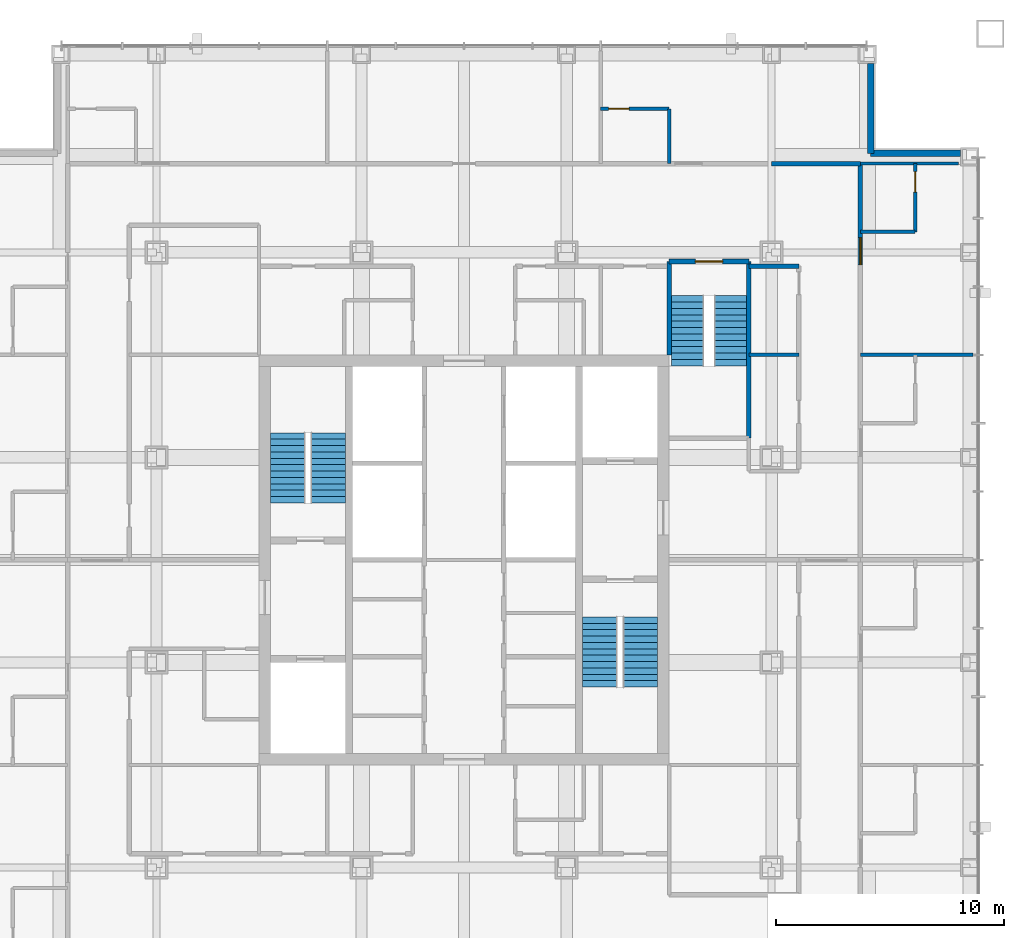
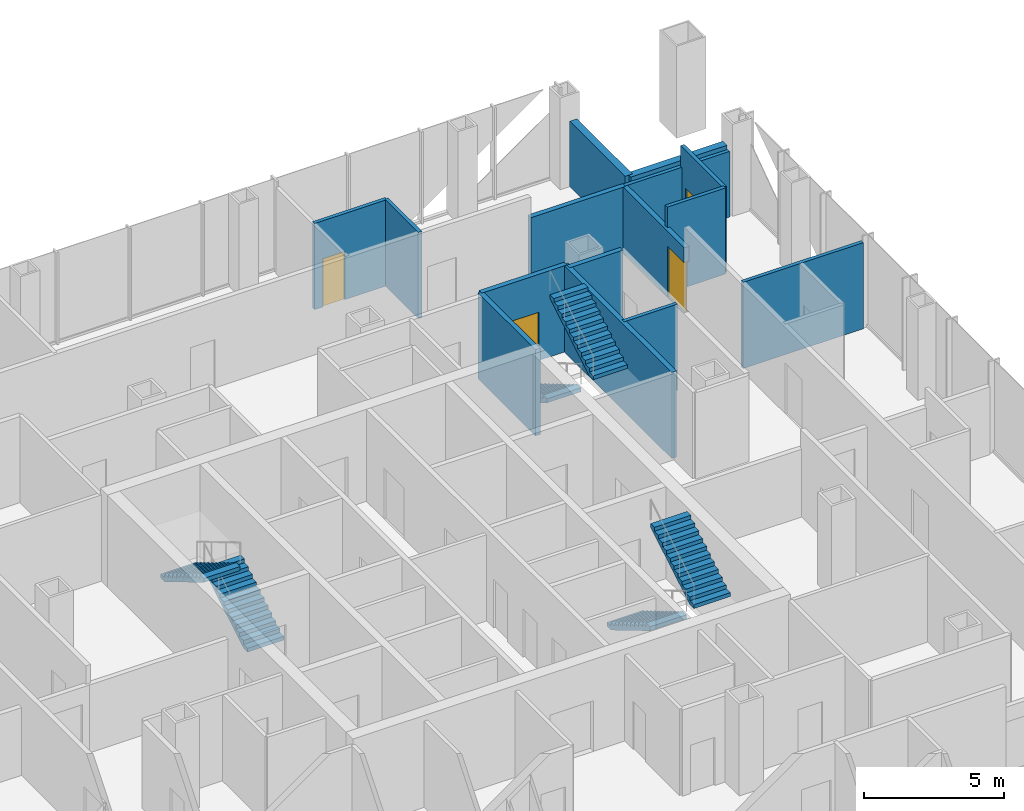
# One storey, part 10 of 11: 15 walls, 6 stair flights, 4 doors, 4 openings, 3 elements without a shape of their own.
"""IFC4 building model written with IfcOpenShell, lengths in metres."""

from ifc_helpers import new_model, si_unit, direction, frame, frame_2d, origin, place, context, subcontext, project, spatial, polyline, rectangle, outline, extrude, material, layer, layer_set, type_object, element, fill, aggregate, save


model = new_model("IFC4")

# Units and contexts
model_context = context("Model", 3, precision=1e-05, world=origin(), true_north=direction((0.0, 1.0)))
body_context = subcontext(model_context, "Body", "Model", "MODEL_VIEW")
ifc_project = project(units=[si_unit("LENGTHUNIT", "METRE"), si_unit("AREAUNIT", "SQUARE_METRE"), si_unit("VOLUMEUNIT", "CUBIC_METRE"), si_unit("PLANEANGLEUNIT", "RADIAN"), si_unit("MASSUNIT", "GRAM", prefix="KILO")], contexts=[model_context])

# Site, building, storey
site_placement = place(None, origin())
site = spatial("IfcSite", under=ifc_project, at=site_placement, CompositionType="ELEMENT")
building_placement = place(site_placement, origin())
building = spatial("IfcBuilding", under=site, at=building_placement, Name="Malebo Sky Hospital", CompositionType="ELEMENT")
storey_placement = place(building_placement, frame((0.0, 0.0, 201.0)))
storey = spatial("IfcBuildingStorey", under=building, at=storey_placement, Name="L48", CompositionType="ELEMENT", Elevation=201.0)

# Walls
ifc_material_1 = material(Name="Gypsum board on steel studs", Category="steel")
ifc_layer_1 = layer(ifc_material_1, 0.199951171875)
ifc_layer_set_1 = layer_set([ifc_layer_1], Name="CORRIDOR WALL 200")
wall_type_1 = type_object("IfcWallType", Name="CORRIDOR WALL 200", PredefinedType="PARTITIONING", material=ifc_layer_set_1)
wall_1_placement = place(storey_placement, frame((73.5, 79.39990234375, 0.0), z_axis=(0.0, 0.0, 1.0), x_axis=(1.0, 0.0, 0.0)))
element("IfcWall", 1, at=wall_1_placement, inside=storey, type_object=wall_type_1, Name="Corridor Wall 200 NCO", PredefinedType="PARTITIONING", context=body_context, shape_type="SweptSolid", body=[
    extrude(rectangle(XDim=3.89990234375, YDim=0.199951171875, at=frame_2d((1.949951171875, 0.0))), origin(), (0.0, 0.0, 1.0), 2.85009765625),
])
wall_2_placement = place(storey_placement, frame((72.5, 74.89990234375, 0.0), z_axis=(0.0, 0.0, 1.0), x_axis=(1.0, 0.0, 0.0)))
element("IfcWall", 2, at=wall_2_placement, inside=storey, type_object=wall_type_1, Name="Corridor Wall 200 NCI2/2", PredefinedType="PARTITIONING", context=body_context, shape_type="SweptSolid", body=[
    extrude(rectangle(XDim=2.199951171875, YDim=0.199951171875, at=frame_2d((1.10009765625, 0.0))), origin(), (0.0, 0.0, 1.0), 3.75),
])

# Wall, opening, door
wall_3_placement = place(storey_placement, frame((77.39990234375, 79.39990234375, 0.0), z_axis=(0.0, 0.0, 1.0), x_axis=(0.0, -1.0, 0.0)))
wall_3 = element("IfcWall", 3, at=wall_3_placement, inside=storey, type_object=wall_type_1, Name="Corridor Wall 200 ECO", PredefinedType="PARTITIONING", context=body_context, shape_type="SweptSolid", body=[
    extrude(rectangle(XDim=4.449951171875, YDim=0.199951171875, at=frame_2d((2.22509765625, 0.0))), origin(), (0.0, 0.0, 1.0), 2.85009765625),
])
opening_1_placement = place(wall_3_placement, frame((3.25, 0.0, 0.0)))
opening_1 = element("IfcOpeningElement", 4, at=opening_1_placement, cuts=wall_3, Name="Opening D01", PredefinedType="OPENING", context=body_context, shape_type="SweptSolid", body=[
    extrude(rectangle(XDim=1.199951171875, YDim=2.199951171875, at=frame_2d((0.60009765625, 1.10009765625))), frame((0.0, 0.10986328125, 0.0), z_axis=(0.0, -1.0, 0.0), x_axis=(1.0, 0.0, 0.0)), (0.0, 0.0, 1.0), 0.219970703125),
])
ifc_material_2 = material(Name="Hardwood-faced door leaf in steel frame", Category="steel")
door_type_1 = type_object("IfcDoorType", Name="BED DOOR 1200", OperationType="SINGLE_SWING_LEFT", PredefinedType="DOOR", material=ifc_material_2)
door_1_placement = place(opening_1_placement, origin())
door_1 = element("IfcDoor", 5, at=door_1_placement, inside=storey, type_object=door_type_1, Name="Birthing room door", OperationType="SINGLE_SWING_LEFT", OverallHeight=2.199951171875, OverallWidth=1.199951171875, PredefinedType="DOOR", context=body_context, shape_type="SweptSolid", body=[
    extrude(rectangle(XDim=1.199951171875, YDim=2.199951171875, at=frame_2d((0.60009765625, 1.10009765625))), frame((0.0, 0.02490234375, 0.0), z_axis=(0.0, -1.0, 0.0), x_axis=(1.0, 0.0, 0.0)), (0.0, 0.0, 1.0), 0.050048828125),
])
fill(opening_1, door_1)

# Walls
ifc_material_3 = material(Name="Anodised aluminium rainscreen on steel framing", Category="steel")
ifc_layer_2 = layer(ifc_material_3, 0.300048828125)
ifc_layer_set_2 = layer_set([ifc_layer_2], Name="NOTCH RAINSCREEN WALL 300")
wall_type_2 = type_object("IfcWallType", Name="NOTCH RAINSCREEN WALL 300", PredefinedType="ELEMENTEDWALL", material=ifc_layer_set_2)
for number, where, z_axis, x_axis, name in (
    (6, (77.85009765625, 83.800048828125, 0.0), (0.0, 0.0, 1.0), (0.0, -1.0, 0.0), "Notch rainscreen wall N1 L48"),
    (7, (77.85009765625, 79.85009765625, 0.0), (0.0, 0.0, 1.0), (1.0, 0.0, 0.0), "Notch rainscreen wall N2 L48"),
):
    element("IfcWall", number, at=place(storey_placement, frame(where, z_axis=z_axis, x_axis=x_axis)), inside=storey, type_object=wall_type_2, Name=name, PredefinedType="ELEMENTEDWALL", context=body_context, shape_type="SweptSolid", body=[
        extrude(rectangle(XDim=3.949951171875, YDim=0.300048828125, at=frame_2d((1.97509765625, 0.0))), origin(), (0.0, 0.0, 1.0), 2.85009765625),
    ])

# Wall, opening, door
ifc_layer_3 = layer(ifc_material_1, 0.14990234375)
ifc_layer_set_3 = layer_set([ifc_layer_3], Name="PARTITION 150")
wall_type_3 = type_object("IfcWallType", Name="PARTITION 150", PredefinedType="PARTITIONING", material=ifc_layer_set_3)
wall_4_placement = place(storey_placement, frame((66.0, 81.800048828125, 0.0), z_axis=(0.0, 0.0, 1.0), x_axis=(1.0, 0.0, 0.0)))
wall_4 = element("IfcWall", 8, at=wall_4_placement, inside=storey, type_object=wall_type_3, Name="Partition 150 NE2F", PredefinedType="PARTITIONING", context=body_context, shape_type="SweptSolid", body=[
    extrude(rectangle(XDim=3.0, YDim=0.14990234375, at=frame_2d((1.5, 0.0))), origin(), (0.0, 0.0, 1.0), 3.75),
])
opening_2_placement = place(wall_4_placement, frame((0.35009765625, 0.0, 0.0)))
opening_2 = element("IfcOpeningElement", 9, at=opening_2_placement, cuts=wall_4, Name="Opening D02", PredefinedType="OPENING", context=body_context, shape_type="SweptSolid", body=[
    extrude(rectangle(XDim=0.89990234375, YDim=2.10009765625, at=frame_2d((0.449951171875, 1.050048828125))), frame((0.0, 0.0849609375, 0.0), z_axis=(0.0, -1.0, 0.0), x_axis=(1.0, 0.0, 0.0)), (0.0, 0.0, 1.0), 0.169921875),
])
door_type_2 = type_object("IfcDoorType", Name="EN-SUITE DOOR 900", OperationType="SINGLE_SWING_LEFT", PredefinedType="DOOR", material=ifc_material_2)
door_2_placement = place(opening_2_placement, origin())
door_2 = element("IfcDoor", 10, at=door_2_placement, inside=storey, type_object=door_type_2, Name="En-suite door", OperationType="SINGLE_SWING_LEFT", OverallHeight=2.10009765625, OverallWidth=0.89990234375, PredefinedType="DOOR", context=body_context, shape_type="SweptSolid", body=[
    extrude(rectangle(XDim=0.89990234375, YDim=2.10009765625, at=frame_2d((0.449951171875, 1.050048828125))), frame((0.0, 0.02490234375, 0.0), z_axis=(0.0, -1.0, 0.0), x_axis=(1.0, 0.0, 0.0)), (0.0, 0.0, 1.0), 0.050048828125),
])
fill(opening_2, door_2)

# Walls
wall_5_placement = place(storey_placement, frame((69.0, 79.39990234375, 0.0), z_axis=(0.0, 0.0, 1.0), x_axis=(0.0, 1.0, 0.0)))
element("IfcWall", 11, at=wall_5_placement, inside=storey, type_object=wall_type_3, Name="Partition 150 NE2S", PredefinedType="PARTITIONING", context=body_context, shape_type="SweptSolid", body=[
    extrude(rectangle(XDim=2.400146484375, YDim=0.14990234375, at=frame_2d((1.2001953125, 0.0))), origin(), (0.0, 0.0, 1.0), 3.75),
])
wall_6_placement = place(storey_placement, frame((77.39990234375, 71.0, 0.0), z_axis=(0.0, 0.0, 1.0), x_axis=(1.0, 0.0, 0.0)))
element("IfcWall", 12, at=wall_6_placement, inside=storey, type_object=wall_type_3, Name="Partition 150 EP-9.0", PredefinedType="PARTITIONING", context=body_context, shape_type="SweptSolid", body=[
    extrude(rectangle(XDim=4.9501953125, YDim=0.14990234375, at=frame_2d((2.47509765625, 0.0))), origin(), (0.0, 0.0, 1.0), 3.75),
])
wall_7_placement = place(storey_placement, frame((77.39990234375, 79.39990234375, 0.0), z_axis=(0.0, 0.0, 1.0), x_axis=(1.0, 0.0, 0.0)))
element("IfcWall", 13, at=wall_7_placement, inside=storey, type_object=wall_type_3, Name="Partition 150 EP0", PredefinedType="PARTITIONING", context=body_context, shape_type="SweptSolid", body=[
    extrude(rectangle(XDim=4.300048828125, YDim=0.14990234375, at=frame_2d((2.14990234375, 0.0))), origin(), (0.0, 0.0, 1.0), 2.85009765625),
])

# Wall, opening, door
wall_8_placement = place(storey_placement, frame((79.800048828125, 79.39990234375, 0.0), z_axis=(0.0, 0.0, 1.0), x_axis=(0.0, -1.0, 0.0)))
wall_8 = element("IfcWall", 14, at=wall_8_placement, inside=storey, type_object=wall_type_3, Name="Partition 150 EE0F", PredefinedType="PARTITIONING", context=body_context, shape_type="SweptSolid", body=[
    extrude(rectangle(XDim=3.0, YDim=0.14990234375, at=frame_2d((1.5, 0.0))), origin(), (0.0, 0.0, 1.0), 3.75),
])
opening_3_placement = place(wall_8_placement, frame((0.35009765625, 0.0, 0.0)))
opening_3 = element("IfcOpeningElement", 15, at=opening_3_placement, cuts=wall_8, Name="Opening D02", PredefinedType="OPENING", context=body_context, shape_type="SweptSolid", body=[
    extrude(rectangle(XDim=0.89990234375, YDim=2.10009765625, at=frame_2d((0.449951171875, 1.050048828125))), frame((0.0, 0.0849609375, 0.0), z_axis=(0.0, -1.0, 0.0), x_axis=(1.0, 0.0, 0.0)), (0.0, 0.0, 1.0), 0.169921875),
])
door_3_placement = place(opening_3_placement, origin())
door_3 = element("IfcDoor", 16, at=door_3_placement, inside=storey, type_object=door_type_2, Name="En-suite door", OperationType="SINGLE_SWING_LEFT", OverallHeight=2.10009765625, OverallWidth=0.89990234375, PredefinedType="DOOR", context=body_context, shape_type="SweptSolid", body=[
    extrude(rectangle(XDim=0.89990234375, YDim=2.10009765625, at=frame_2d((0.449951171875, 1.050048828125))), frame((0.0, 0.02490234375, 0.0), z_axis=(0.0, -1.0, 0.0), x_axis=(1.0, 0.0, 0.0)), (0.0, 0.0, 1.0), 0.050048828125),
])
fill(opening_3, door_3)

# Walls
wall_9_placement = place(storey_placement, frame((77.39990234375, 76.39990234375, 0.0), z_axis=(0.0, 0.0, 1.0), x_axis=(1.0, 0.0, 0.0)))
element("IfcWall", 17, at=wall_9_placement, inside=storey, type_object=wall_type_3, Name="Partition 150 EE0S", PredefinedType="PARTITIONING", context=body_context, shape_type="SweptSolid", body=[
    extrude(rectangle(XDim=2.400146484375, YDim=0.14990234375, at=frame_2d((1.2001953125, 0.0))), origin(), (0.0, 0.0, 1.0), 3.75),
])
wall_10_placement = place(storey_placement, frame((72.5, 71.0, 0.0), z_axis=(0.0, 0.0, 1.0), x_axis=(1.0, 0.0, 0.0)))
element("IfcWall", 18, at=wall_10_placement, inside=storey, type_object=wall_type_3, Name="Partition 150 ESP0", PredefinedType="PARTITIONING", context=body_context, shape_type="SweptSolid", body=[
    extrude(rectangle(XDim=2.199951171875, YDim=0.14990234375, at=frame_2d((1.10009765625, 0.0))), origin(), (0.0, 0.0, 1.0), 3.75),
])
ifc_material_4 = material(Name="Concrete C40/50", Category="concrete")
ifc_layer_4 = layer(ifc_material_4, 0.199951171875)
ifc_layer_set_4 = layer_set([ifc_layer_4], Name="STAIR ENCLOSURE WALL 200")
wall_type_4 = type_object("IfcWallType", Name="STAIR ENCLOSURE WALL 200", PredefinedType="SOLIDWALL", material=ifc_layer_set_4)
wall_11_placement = place(storey_placement, frame((69.0, 71.0, 0.0), z_axis=(0.0, 0.0, 1.0), x_axis=(0.0, 1.0, 0.0)))
element("IfcWall", 19, at=wall_11_placement, inside=storey, type_object=wall_type_4, Name="Stair Enclosure Wall 200 ST3W", PredefinedType="SOLIDWALL", context=body_context, shape_type="SweptSolid", body=[
    extrude(rectangle(XDim=4.10009765625, YDim=0.199951171875, at=frame_2d((2.050048828125, 0.0))), origin(), (0.0, 0.0, 1.0), 3.75),
])
wall_12_placement = place(storey_placement, frame((72.5, 67.35009765625, 0.0), z_axis=(0.0, 0.0, 1.0), x_axis=(0.0, 1.0, 0.0)))
element("IfcWall", 20, at=wall_12_placement, inside=storey, type_object=wall_type_4, Name="Stair Enclosure Wall 200 ST3E", PredefinedType="SOLIDWALL", context=body_context, shape_type="SweptSolid", body=[
    extrude(rectangle(XDim=7.75, YDim=0.199951171875, at=frame_2d((3.875, 0.0))), origin(), (0.0, 0.0, 1.0), 3.75),
])

# Wall, opening, door
wall_13_placement = place(storey_placement, frame((69.0, 75.10009765625, 0.0), z_axis=(0.0, 0.0, 1.0), x_axis=(1.0, 0.0, 0.0)))
wall_13 = element("IfcWall", 21, at=wall_13_placement, inside=storey, type_object=wall_type_4, Name="Stair Enclosure Wall 200 ST3N", PredefinedType="SOLIDWALL", context=body_context, shape_type="SweptSolid", body=[
    extrude(rectangle(XDim=3.5, YDim=0.199951171875, at=frame_2d((1.75, 0.0))), origin(), (0.0, 0.0, 1.0), 3.75),
])
opening_4_placement = place(wall_13_placement, frame((1.14990234375, 0.0, 0.0)))
opening_4 = element("IfcOpeningElement", 22, at=opening_4_placement, cuts=wall_13, Name="Opening D08", PredefinedType="OPENING", context=body_context, shape_type="SweptSolid", body=[
    extrude(rectangle(XDim=1.199951171875, YDim=2.10009765625, at=frame_2d((0.60009765625, 1.050048828125))), frame((0.0, 0.10986328125, 0.0), z_axis=(0.0, -1.0, 0.0), x_axis=(1.0, 0.0, 0.0)), (0.0, 0.0, 1.0), 0.219970703125),
])
door_type_3 = type_object("IfcDoorType", Name="STAIR DOOR 1200", OperationType="SINGLE_SWING_LEFT", PredefinedType="DOOR", material=ifc_material_2)
door_4_placement = place(opening_4_placement, origin())
door_4 = element("IfcDoor", 23, at=door_4_placement, inside=storey, type_object=door_type_3, Name="Stair S3 door", OperationType="SINGLE_SWING_LEFT", OverallHeight=2.10009765625, OverallWidth=1.199951171875, PredefinedType="DOOR", context=body_context, shape_type="SweptSolid", body=[
    extrude(rectangle(XDim=1.199951171875, YDim=2.10009765625, at=frame_2d((0.60009765625, 1.050048828125))), frame((0.0, 0.02490234375, 0.0), z_axis=(0.0, -1.0, 0.0), x_axis=(1.0, 0.0, 0.0)), (0.0, 0.0, 1.0), 0.050048828125),
])
fill(opening_4, door_4)

# Stair, stair flights
stair_type_1 = type_object("IfcStairType", Name="HALF-TURN STAIR 1400 R167", PredefinedType="HALF_TURN_STAIR", material=ifc_material_4)
stair_1_placement = place(storey_placement, origin())
stair_1 = element("IfcStair", 24, at=stair_1_placement, inside=storey, type_object=stair_type_1, Name="Stair S3 L48 type ST1B", PredefinedType="HALF_TURN_STAIR")
stair_flight_type_1 = type_object("IfcStairFlightType", Name="STAIR FLIGHT 1400 R167", PredefinedType="STRAIGHT", material=ifc_material_4)
stair_flight_1_placement = place(storey_placement, frame((69.800048828125, 73.60009765625, 0.0), z_axis=(0.0, 0.0, 1.0), x_axis=(0.0, -1.0, 0.0)))
stair_flight_1 = element("IfcStairFlight", 25, at=stair_flight_1_placement, type_object=stair_flight_type_1, Name="S3 flight 1 type SF1B", NumberOfRisers=12, NumberOfTreads=11, PredefinedType="STRAIGHT", RiserHeight=0.166666667, TreadLength=0.28, context=body_context, shape_type="SweptSolid", body=[
    extrude(outline(polyline([(0.0, 0.0), (0.0, 0.166748046875), (0.280029296875, 0.166748046875), (0.280029296875, 0.333251953125), (0.56005859375, 0.333251953125), (0.56005859375, 0.5), (0.840087890625, 0.5), (0.840087890625, 0.666748046875), (1.1201171875, 0.666748046875), (1.1201171875, 0.833251953125), (1.39990234375, 0.833251953125), (1.39990234375, 1.0), (1.679931640625, 1.0), (1.679931640625, 1.166748046875), (1.9599609375, 1.166748046875), (1.9599609375, 1.333251953125), (2.239990234375, 1.333251953125), (2.239990234375, 1.5), (2.52001953125, 1.5), (2.52001953125, 1.666748046875), (2.800048828125, 1.666748046875), (2.800048828125, 1.833251953125), (3.080078125, 1.833251953125), (3.080078125, 2.0), (3.080078125, 1.658935546875), (0.29296875, 0.0), (0.0, 0.0)])), frame((0.0, 0.699951171875, 0.0), z_axis=(0.0, -1.0, 0.0), x_axis=(1.0, 0.0, 0.0)), (0.0, 0.0, 1.0), 1.39990234375),
])
stair_flight_2_placement = place(storey_placement, frame((71.699951171875, 70.52001953125, 2.0), z_axis=(0.0, 0.0, 1.0), x_axis=(0.0, 1.0, 0.0)))
stair_flight_2 = element("IfcStairFlight", 26, at=stair_flight_2_placement, type_object=stair_flight_type_1, Name="S3 flight 2 type SF1B", NumberOfRisers=12, NumberOfTreads=11, PredefinedType="STRAIGHT", RiserHeight=0.166666667, TreadLength=0.28, context=body_context, shape_type="SweptSolid", body=[
    extrude(outline(polyline([(0.0, 0.0), (0.0, 0.166748046875), (0.280029296875, 0.166748046875), (0.280029296875, 0.333251953125), (0.56005859375, 0.333251953125), (0.56005859375, 0.5), (0.840087890625, 0.5), (0.840087890625, 0.666748046875), (1.1201171875, 0.666748046875), (1.1201171875, 0.833251953125), (1.39990234375, 0.833251953125), (1.39990234375, 1.0), (1.679931640625, 1.0), (1.679931640625, 1.166748046875), (1.9599609375, 1.166748046875), (1.9599609375, 1.333251953125), (2.239990234375, 1.333251953125), (2.239990234375, 1.5), (2.52001953125, 1.5), (2.52001953125, 1.666748046875), (2.800048828125, 1.666748046875), (2.800048828125, 1.833251953125), (3.080078125, 1.833251953125), (3.080078125, 2.0), (3.080078125, 1.658935546875), (0.29296875, 0.0), (0.0, 0.0)])), frame((0.0, 0.699951171875, 0.0), z_axis=(0.0, -1.0, 0.0), x_axis=(1.0, 0.0, 0.0)), (0.0, 0.0, 1.0), 1.39990234375),
])
aggregate(stair_1, [stair_flight_1, stair_flight_2])

stair_type_2 = type_object("IfcStairType", Name="HALF-TURN STAIR 1500 R167", PredefinedType="HALF_TURN_STAIR", material=ifc_material_4)
stair_2_placement = place(storey_placement, origin())
stair_2 = element("IfcStair", 27, at=stair_2_placement, inside=storey, type_object=stair_type_2, Name="Stair S1 L48 type ST1", PredefinedType="HALF_TURN_STAIR")
stair_flight_type_2 = type_object("IfcStairFlightType", Name="STAIR FLIGHT 1500 R167", PredefinedType="STRAIGHT", material=ifc_material_4)
stair_flight_3_placement = place(storey_placement, frame((54.050048828125, 64.5, 0.0), z_axis=(0.0, 0.0, 1.0), x_axis=(0.0, 1.0, 0.0)))
stair_flight_3 = element("IfcStairFlight", 28, at=stair_flight_3_placement, type_object=stair_flight_type_2, Name="S1 flight 1 type SF1", NumberOfRisers=12, NumberOfTreads=11, PredefinedType="STRAIGHT", RiserHeight=0.166666667, TreadLength=0.28, context=body_context, shape_type="SweptSolid", body=[
    extrude(outline(polyline([(0.0, 0.0), (0.0, 0.166748046875), (0.280029296875, 0.166748046875), (0.280029296875, 0.333251953125), (0.56005859375, 0.333251953125), (0.56005859375, 0.5), (0.840087890625, 0.5), (0.840087890625, 0.666748046875), (1.1201171875, 0.666748046875), (1.1201171875, 0.833251953125), (1.39990234375, 0.833251953125), (1.39990234375, 1.0), (1.679931640625, 1.0), (1.679931640625, 1.166748046875), (1.9599609375, 1.166748046875), (1.9599609375, 1.333251953125), (2.239990234375, 1.333251953125), (2.239990234375, 1.5), (2.52001953125, 1.5), (2.52001953125, 1.666748046875), (2.800048828125, 1.666748046875), (2.800048828125, 1.833251953125), (3.080078125, 1.833251953125), (3.080078125, 2.0), (3.080078125, 1.658935546875), (0.29296875, 0.0), (0.0, 0.0)])), frame((0.0, 0.75, 0.0), z_axis=(0.0, -1.0, 0.0), x_axis=(1.0, 0.0, 0.0)), (0.0, 0.0, 1.0), 1.5),
])
stair_flight_4_placement = place(storey_placement, frame((52.25, 67.580078125, 2.0), z_axis=(0.0, 0.0, 1.0), x_axis=(0.0, -1.0, 0.0)))
stair_flight_4 = element("IfcStairFlight", 29, at=stair_flight_4_placement, type_object=stair_flight_type_2, Name="S1 flight 2 type SF1", NumberOfRisers=12, NumberOfTreads=11, PredefinedType="STRAIGHT", RiserHeight=0.166666667, TreadLength=0.28, context=body_context, shape_type="SweptSolid", body=[
    extrude(outline(polyline([(0.0, 0.0), (0.0, 0.166748046875), (0.280029296875, 0.166748046875), (0.280029296875, 0.333251953125), (0.56005859375, 0.333251953125), (0.56005859375, 0.5), (0.840087890625, 0.5), (0.840087890625, 0.666748046875), (1.1201171875, 0.666748046875), (1.1201171875, 0.833251953125), (1.39990234375, 0.833251953125), (1.39990234375, 1.0), (1.679931640625, 1.0), (1.679931640625, 1.166748046875), (1.9599609375, 1.166748046875), (1.9599609375, 1.333251953125), (2.239990234375, 1.333251953125), (2.239990234375, 1.5), (2.52001953125, 1.5), (2.52001953125, 1.666748046875), (2.800048828125, 1.666748046875), (2.800048828125, 1.833251953125), (3.080078125, 1.833251953125), (3.080078125, 2.0), (3.080078125, 1.658935546875), (0.29296875, 0.0), (0.0, 0.0)])), frame((0.0, 0.75, 0.0), z_axis=(0.0, -1.0, 0.0), x_axis=(1.0, 0.0, 0.0)), (0.0, 0.0, 1.0), 1.5),
])
aggregate(stair_2, [stair_flight_3, stair_flight_4])

stair_3_placement = place(storey_placement, origin())
stair_3 = element("IfcStair", 30, at=stair_3_placement, inside=storey, type_object=stair_type_2, Name="Stair S2 L48 type ST1", PredefinedType="HALF_TURN_STAIR")
stair_flight_5_placement = place(storey_placement, frame((65.949951171875, 59.5, 0.0), z_axis=(0.0, 0.0, 1.0), x_axis=(0.0, -1.0, 0.0)))
stair_flight_5 = element("IfcStairFlight", 31, at=stair_flight_5_placement, type_object=stair_flight_type_2, Name="S2 flight 1 type SF1", NumberOfRisers=12, NumberOfTreads=11, PredefinedType="STRAIGHT", RiserHeight=0.166666667, TreadLength=0.28, context=body_context, shape_type="SweptSolid", body=[
    extrude(outline(polyline([(0.0, 0.0), (0.0, 0.166748046875), (0.280029296875, 0.166748046875), (0.280029296875, 0.333251953125), (0.56005859375, 0.333251953125), (0.56005859375, 0.5), (0.840087890625, 0.5), (0.840087890625, 0.666748046875), (1.1201171875, 0.666748046875), (1.1201171875, 0.833251953125), (1.39990234375, 0.833251953125), (1.39990234375, 1.0), (1.679931640625, 1.0), (1.679931640625, 1.166748046875), (1.9599609375, 1.166748046875), (1.9599609375, 1.333251953125), (2.239990234375, 1.333251953125), (2.239990234375, 1.5), (2.52001953125, 1.5), (2.52001953125, 1.666748046875), (2.800048828125, 1.666748046875), (2.800048828125, 1.833251953125), (3.080078125, 1.833251953125), (3.080078125, 2.0), (3.080078125, 1.658935546875), (0.29296875, 0.0), (0.0, 0.0)])), frame((0.0, 0.75, 0.0), z_axis=(0.0, -1.0, 0.0), x_axis=(1.0, 0.0, 0.0)), (0.0, 0.0, 1.0), 1.5),
])
stair_flight_6_placement = place(storey_placement, frame((67.75, 56.419921875, 2.0), z_axis=(0.0, 0.0, 1.0), x_axis=(0.0, 1.0, 0.0)))
stair_flight_6 = element("IfcStairFlight", 32, at=stair_flight_6_placement, type_object=stair_flight_type_2, Name="S2 flight 2 type SF1", NumberOfRisers=12, NumberOfTreads=11, PredefinedType="STRAIGHT", RiserHeight=0.166666667, TreadLength=0.28, context=body_context, shape_type="SweptSolid", body=[
    extrude(outline(polyline([(0.0, 0.0), (0.0, 0.166748046875), (0.280029296875, 0.166748046875), (0.280029296875, 0.333251953125), (0.56005859375, 0.333251953125), (0.56005859375, 0.5), (0.840087890625, 0.5), (0.840087890625, 0.666748046875), (1.1201171875, 0.666748046875), (1.1201171875, 0.833251953125), (1.39990234375, 0.833251953125), (1.39990234375, 1.0), (1.679931640625, 1.0), (1.679931640625, 1.166748046875), (1.9599609375, 1.166748046875), (1.9599609375, 1.333251953125), (2.239990234375, 1.333251953125), (2.239990234375, 1.5), (2.52001953125, 1.5), (2.52001953125, 1.666748046875), (2.800048828125, 1.666748046875), (2.800048828125, 1.833251953125), (3.080078125, 1.833251953125), (3.080078125, 2.0), (3.080078125, 1.658935546875), (0.29296875, 0.0), (0.0, 0.0)])), frame((0.0, 0.75, 0.0), z_axis=(0.0, -1.0, 0.0), x_axis=(1.0, 0.0, 0.0)), (0.0, 0.0, 1.0), 1.5),
])
aggregate(stair_3, [stair_flight_5, stair_flight_6])

save(model, "model.ifc")
